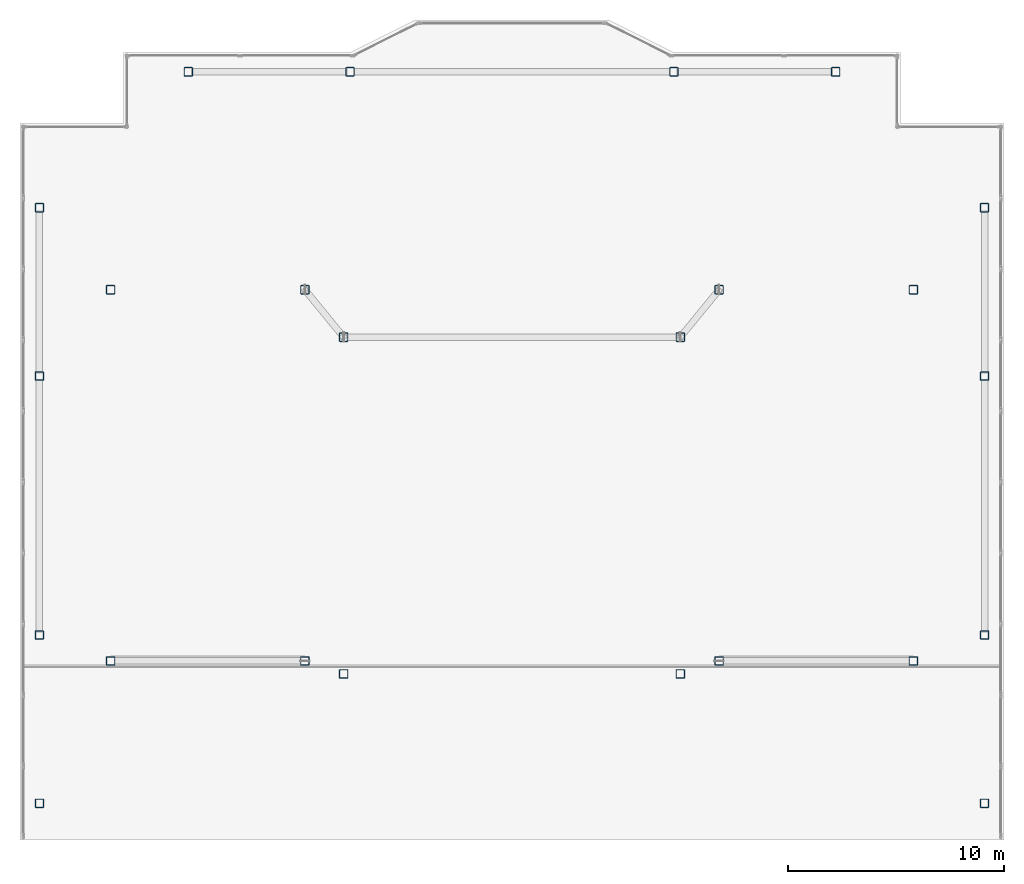
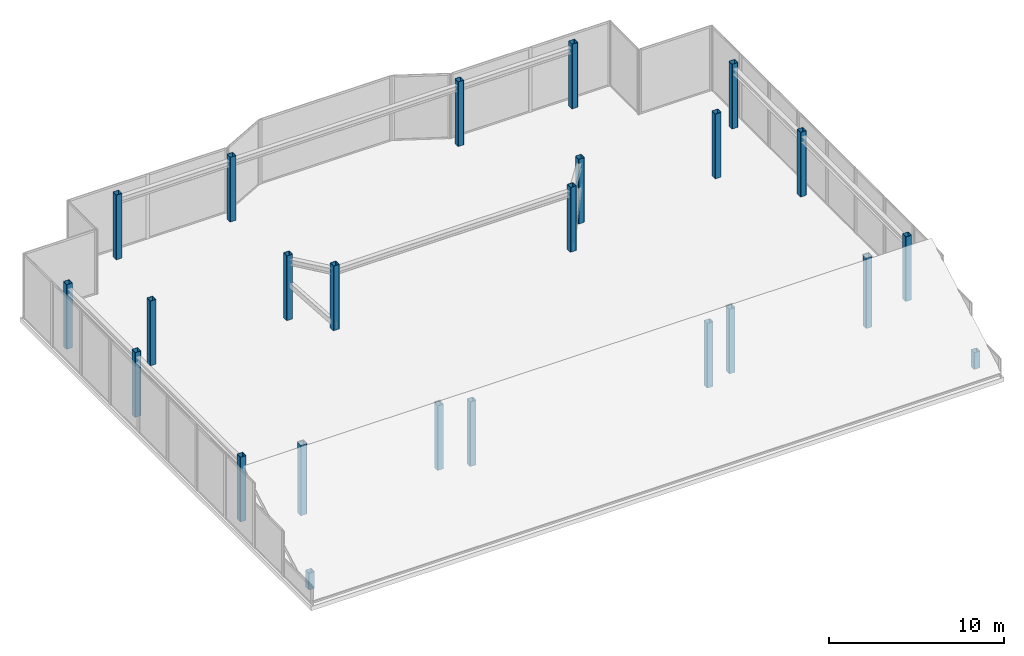
# One storey, part 1 of 15: 24 columns.
"""IFC4 building model written with IfcOpenShell, lengths in metres."""

from ifc_helpers import new_model, si_unit, direction, frame, origin, origin_2d, place, context, subcontext, project, spatial, hollow_rectangle, extrude, material, material_profile, profile_set, type_object, element, save


model = new_model("IFC4")

# Units and contexts
model_context = context("Model", 3, precision=1e-05, world=origin(), true_north=direction((0.0, 1.0)))
body_context = subcontext(model_context, "Body", "Model", "MODEL_VIEW")
ifc_project = project(units=[si_unit("LENGTHUNIT", "METRE"), si_unit("AREAUNIT", "SQUARE_METRE"), si_unit("VOLUMEUNIT", "CUBIC_METRE"), si_unit("PLANEANGLEUNIT", "RADIAN"), si_unit("MASSUNIT", "GRAM", prefix="KILO")], contexts=[model_context])

# Site, building, storey
site_placement = place(None, origin())
site = spatial("IfcSite", under=ifc_project, at=site_placement, CompositionType="ELEMENT")
building_placement = place(site_placement, origin())
building = spatial("IfcBuilding", under=site, at=building_placement, Name="Tarnavaz Court Tower", CompositionType="ELEMENT")
storey_placement = place(building_placement, frame((0.0, 0.0, 295.050048828125)))
storey = spatial("IfcBuildingStorey", under=building, at=storey_placement, Name="C04", CompositionType="ELEMENT", Elevation=295.050048828125)

# Columns
ifc_material = material(Name="Steel S355", Category="steel")
ifc_material_profile = material_profile(ifc_material, hollow_rectangle(XDim=0.39990234375, YDim=0.39990234375, WallThickness=0.02001953125, InnerFilletRadius=0.02001953125, OuterFilletRadius=0.0400390625, at=origin_2d()), Name="SHS 400X400X20")
ifc_profile_set = profile_set([ifc_material_profile], Name="Steel S355")
column_type = type_object("IfcColumnType", Name="CL-CR-SHS300", PredefinedType="USERDEFINED", material=ifc_profile_set)
for number, where, z_axis, x_axis, name in (
    (1, (-7.800048828125, -7.800048828125, 0.0), (0.0, 0.0, 1.0), (1.0, 0.0, 0.0), "C04 Column IW-SW"),
    (2, (7.800048828125, -7.800048828125, 0.0), (0.0, 0.0, 1.0), (1.0, 0.0, 0.0), "C04 Column IW-SE"),
    (3, (-7.800048828125, 7.800048828125, 0.0), (0.0, 0.0, 1.0), (1.0, 0.0, 0.0), "C04 Column IW-NW"),
    (4, (7.800048828125, 7.800048828125, 0.0), (0.0, 0.0, 1.0), (1.0, 0.0, 0.0), "C04 Column IW-NE"),
    (5, (-9.60009765625, -7.199951171875, 0.0), (0.0, 0.0, 1.0), (1.0, 0.0, 0.0), "C04 Column CW-SI"),
    (6, (-9.60009765625, 10.0, 0.0), (0.0, 0.0, 1.0), (1.0, 0.0, 0.0), "C04 Column CW-NI"),
    (7, (9.60009765625, -7.199951171875, 0.0), (0.0, 0.0, 1.0), (1.0, 0.0, 0.0), "C04 Column CE-SI"),
    (8, (9.60009765625, 10.0, 0.0), (0.0, 0.0, 1.0), (1.0, 0.0, 0.0), "C04 Column CE-NI"),
):
    element("IfcColumn", number, at=place(storey_placement, frame(where, z_axis=z_axis, x_axis=x_axis)), inside=storey, type_object=column_type, Name=name, ObjectType="CROWN FRAME", PredefinedType="USERDEFINED", context=body_context, shape_type="SweptSolid", body=[
        extrude(hollow_rectangle(XDim=0.39990234375, YDim=0.39990234375, WallThickness=0.02001953125, InnerFilletRadius=0.02001953125, OuterFilletRadius=0.0400390625, at=origin_2d()), origin(), (0.0, 0.0, 1.0), 4.5),
    ])
column_1_placement = place(storey_placement, frame((-18.60009765625, -7.199951171875, 0.0), z_axis=(0.0, 0.0, 1.0), x_axis=(1.0, 0.0, 0.0)))
element("IfcColumn", 9, at=column_1_placement, inside=storey, type_object=column_type, Name="C04 Column CW-SO", ObjectType="CROWN FRAME", PredefinedType="USERDEFINED", context=body_context, shape_type="SweptSolid", body=[
    extrude(hollow_rectangle(XDim=0.39990234375, YDim=0.39990234375, WallThickness=0.02001953125, InnerFilletRadius=0.02001953125, OuterFilletRadius=0.0400390625, at=origin_2d()), origin(), (0.0, 0.0, 1.0), 4.89306640625),
])
column_2_placement = place(storey_placement, frame((-18.60009765625, 10.0, 0.0), z_axis=(0.0, 0.0, 1.0), x_axis=(1.0, 0.0, 0.0)))
element("IfcColumn", 10, at=column_2_placement, inside=storey, type_object=column_type, Name="C04 Column CW-NO", ObjectType="CROWN FRAME", PredefinedType="USERDEFINED", context=body_context, shape_type="SweptSolid", body=[
    extrude(hollow_rectangle(XDim=0.39990234375, YDim=0.39990234375, WallThickness=0.02001953125, InnerFilletRadius=0.02001953125, OuterFilletRadius=0.0400390625, at=origin_2d()), origin(), (0.0, 0.0, 1.0), 4.5),
])
column_3_placement = place(storey_placement, frame((18.60009765625, -7.199951171875, 0.0), z_axis=(0.0, 0.0, 1.0), x_axis=(1.0, 0.0, 0.0)))
element("IfcColumn", 11, at=column_3_placement, inside=storey, type_object=column_type, Name="C04 Column CE-SO", ObjectType="CROWN FRAME", PredefinedType="USERDEFINED", context=body_context, shape_type="SweptSolid", body=[
    extrude(hollow_rectangle(XDim=0.39990234375, YDim=0.39990234375, WallThickness=0.02001953125, InnerFilletRadius=0.02001953125, OuterFilletRadius=0.0400390625, at=origin_2d()), origin(), (0.0, 0.0, 1.0), 4.89306640625),
])
for number, where, z_axis, x_axis, name in (
    (12, (18.60009765625, 10.0, 0.0), (0.0, 0.0, 1.0), (1.0, 0.0, 0.0), "C04 Column CE-NO"),
    (13, (-15.0, 20.10009765625, 0.0), (0.0, 0.0, 1.0), (1.0, 0.0, 0.0), "C04 Column PN-1"),
    (14, (-7.5, 20.10009765625, 0.0), (0.0, 0.0, 1.0), (1.0, 0.0, 0.0), "C04 Column PN-2"),
    (15, (7.5, 20.10009765625, 0.0), (0.0, 0.0, 1.0), (1.0, 0.0, 0.0), "C04 Column PN-3"),
    (16, (15.0, 20.10009765625, 0.0), (0.0, 0.0, 1.0), (1.0, 0.0, 0.0), "C04 Column PN-4"),
):
    element("IfcColumn", number, at=place(storey_placement, frame(where, z_axis=z_axis, x_axis=x_axis)), inside=storey, type_object=column_type, Name=name, ObjectType="CROWN FRAME", PredefinedType="USERDEFINED", context=body_context, shape_type="SweptSolid", body=[
        extrude(hollow_rectangle(XDim=0.39990234375, YDim=0.39990234375, WallThickness=0.02001953125, InnerFilletRadius=0.02001953125, OuterFilletRadius=0.0400390625, at=origin_2d()), origin(), (0.0, 0.0, 1.0), 4.5),
    ])
column_4_placement = place(storey_placement, frame((21.89990234375, -13.800048828125, 0.0), z_axis=(0.0, 0.0, 1.0), x_axis=(1.0, 0.0, 0.0)))
element("IfcColumn", 17, at=column_4_placement, inside=storey, type_object=column_type, Name="C04 Column PE-1", ObjectType="CROWN FRAME", PredefinedType="USERDEFINED", context=body_context, shape_type="SweptSolid", body=[
    extrude(hollow_rectangle(XDim=0.39990234375, YDim=0.39990234375, WallThickness=0.02001953125, InnerFilletRadius=0.02001953125, OuterFilletRadius=0.0400390625, at=origin_2d()), origin(), (0.0, 0.0, 1.0), 1.16015625),
])
for number, where, z_axis, x_axis, name in (
    (18, (21.89990234375, -6.0, 0.0), (0.0, 0.0, 1.0), (1.0, 0.0, 0.0), "C04 Column PE-2"),
    (19, (21.89990234375, 6.0, 0.0), (0.0, 0.0, 1.0), (1.0, 0.0, 0.0), "C04 Column PE-3"),
    (20, (21.89990234375, 13.800048828125, 0.0), (0.0, 0.0, 1.0), (1.0, 0.0, 0.0), "C04 Column PE-4"),
):
    element("IfcColumn", number, at=place(storey_placement, frame(where, z_axis=z_axis, x_axis=x_axis)), inside=storey, type_object=column_type, Name=name, ObjectType="CROWN FRAME", PredefinedType="USERDEFINED", context=body_context, shape_type="SweptSolid", body=[
        extrude(hollow_rectangle(XDim=0.39990234375, YDim=0.39990234375, WallThickness=0.02001953125, InnerFilletRadius=0.02001953125, OuterFilletRadius=0.0400390625, at=origin_2d()), origin(), (0.0, 0.0, 1.0), 4.5),
    ])
column_5_placement = place(storey_placement, frame((-21.89990234375, -13.800048828125, 0.0), z_axis=(0.0, 0.0, 1.0), x_axis=(1.0, 0.0, 0.0)))
element("IfcColumn", 21, at=column_5_placement, inside=storey, type_object=column_type, Name="C04 Column PW-1", ObjectType="CROWN FRAME", PredefinedType="USERDEFINED", context=body_context, shape_type="SweptSolid", body=[
    extrude(hollow_rectangle(XDim=0.39990234375, YDim=0.39990234375, WallThickness=0.02001953125, InnerFilletRadius=0.02001953125, OuterFilletRadius=0.0400390625, at=origin_2d()), origin(), (0.0, 0.0, 1.0), 1.16015625),
])
for number, where, z_axis, x_axis, name in (
    (22, (-21.89990234375, -6.0, 0.0), (0.0, 0.0, 1.0), (1.0, 0.0, 0.0), "C04 Column PW-2"),
    (23, (-21.89990234375, 6.0, 0.0), (0.0, 0.0, 1.0), (1.0, 0.0, 0.0), "C04 Column PW-3"),
    (24, (-21.89990234375, 13.800048828125, 0.0), (0.0, 0.0, 1.0), (1.0, 0.0, 0.0), "C04 Column PW-4"),
):
    element("IfcColumn", number, at=place(storey_placement, frame(where, z_axis=z_axis, x_axis=x_axis)), inside=storey, type_object=column_type, Name=name, ObjectType="CROWN FRAME", PredefinedType="USERDEFINED", context=body_context, shape_type="SweptSolid", body=[
        extrude(hollow_rectangle(XDim=0.39990234375, YDim=0.39990234375, WallThickness=0.02001953125, InnerFilletRadius=0.02001953125, OuterFilletRadius=0.0400390625, at=origin_2d()), origin(), (0.0, 0.0, 1.0), 4.5),
    ])

save(model, "model.ifc")
